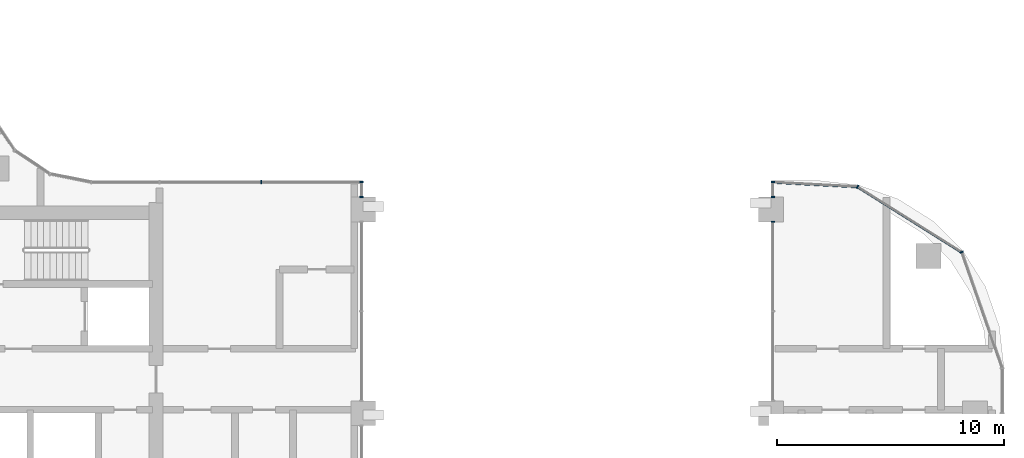
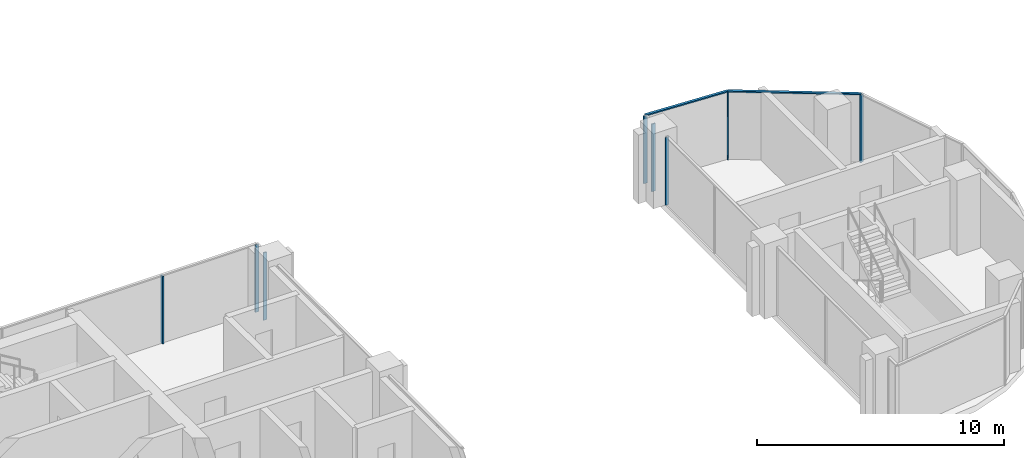
# One storey, part 4 of 23: 10 members, 5 elements without a shape of their own.
"""IFC4 building model written with IfcOpenShell, lengths in metres."""

from ifc_helpers import new_model, si_unit, direction, frame, origin, origin_2d, place, context, subcontext, project, spatial, rectangle, extrude, material, material_profile, profile_set, type_object, element, aggregate, save


model = new_model("IFC4")

# Units and contexts
model_context = context("Model", 3, precision=1e-05, world=origin(), true_north=direction((0.0, 1.0)))
body_context = subcontext(model_context, "Body", "Model", "MODEL_VIEW")
ifc_project = project(units=[si_unit("LENGTHUNIT", "METRE"), si_unit("AREAUNIT", "SQUARE_METRE"), si_unit("VOLUMEUNIT", "CUBIC_METRE"), si_unit("PLANEANGLEUNIT", "RADIAN"), si_unit("MASSUNIT", "GRAM", prefix="KILO")], contexts=[model_context])

# Site, building, storey
site_placement = place(None, origin())
site = spatial("IfcSite", under=ifc_project, at=site_placement, CompositionType="ELEMENT")
building_placement = place(site_placement, origin())
building = spatial("IfcBuilding", under=site, at=building_placement, Name="Ogive Portal Towers", CompositionType="ELEMENT")
storey_placement = place(building_placement, frame((0.0, 0.0, 168.10009765625)))
storey = spatial("IfcBuildingStorey", under=building, at=storey_placement, Name="L41", CompositionType="ELEMENT", Elevation=168.10009765625)

# Curtain wall, members
ifc_material_1 = material(Name="Glass, clear low-iron insulated glazing", Category="glass")
curtain_wall_type_1 = type_object("IfcCurtainWallType", Name="CW PORTAL REVEAL", PredefinedType="NOTDEFINED", material=ifc_material_1)
curtain_wall_1_placement = place(storey_placement, origin())
curtain_wall_1 = element("IfcCurtainWall", 1, at=curtain_wall_1_placement, inside=storey, type_object=curtain_wall_type_1, Name="A:L41:f06:cw0~3", PredefinedType="NOTDEFINED")
ifc_material_2 = material(Name="Aluminium 6063 anodised", Category="aluminium")
ifc_material_profile_1 = material_profile(ifc_material_2, rectangle(XDim=0.159912109375, YDim=0.06005859375, at=origin_2d()), Name="AL 60x160")
ifc_profile_set_1 = profile_set([ifc_material_profile_1], Name="Aluminium 6063 anodised")
member_type_1 = type_object("IfcMemberType", Name="CW MULLION 60x160", PredefinedType="MULLION", material=ifc_profile_set_1)
member_1_placement = place(storey_placement, frame((67.419921875, 40.050048828125, 0.0), z_axis=(0.0, 0.0, 1.0), x_axis=(-1.0, 0.0, 0.0)))
member_1 = element("IfcMember", 2, at=member_1_placement, type_object=member_type_1, Name="mullion", PredefinedType="MULLION", context=body_context, shape_type="SweptSolid", body=[
    extrude(rectangle(XDim=0.159912109375, YDim=0.06005859375, at=origin_2d()), origin(), (0.0, 0.0, 1.0), 3.33984375),
])
member_2_placement = place(storey_placement, frame((67.419921875, 40.705078125, 0.0), z_axis=(0.0, 0.0, 1.0), x_axis=(-1.0, 0.0, 0.0)))
member_2 = element("IfcMember", 3, at=member_2_placement, type_object=member_type_1, Name="mullion", PredefinedType="MULLION", context=body_context, shape_type="SweptSolid", body=[
    extrude(rectangle(XDim=0.159912109375, YDim=0.06005859375, at=origin_2d()), origin(), (0.0, 0.0, 1.0), 3.33984375),
])
aggregate(curtain_wall_1, [member_1, member_2])

# Curtain wall, member
curtain_wall_type_2 = type_object("IfcCurtainWallType", Name="CW FRONT RIBBON 4500", PredefinedType="NOTDEFINED", material=ifc_material_1)
curtain_wall_2_placement = place(storey_placement, origin())
curtain_wall_2 = element("IfcCurtainWall", 4, at=curtain_wall_2_placement, inside=storey, type_object=curtain_wall_type_2, Name="A:L41:f07:cw0", PredefinedType="NOTDEFINED")
member_3_placement = place(storey_placement, frame((63.0, 40.705078125, 0.0), z_axis=(0.0, 0.0, 1.0), x_axis=(0.0, -1.0, 0.0)))
member_3 = element("IfcMember", 5, at=member_3_placement, type_object=member_type_1, Name="mullion", PredefinedType="MULLION", context=body_context, shape_type="SweptSolid", body=[
    extrude(rectangle(XDim=0.159912109375, YDim=0.06005859375, at=origin_2d()), origin(), (0.0, 0.0, 1.0), 3.33984375),
])
aggregate(curtain_wall_2, [member_3])

# Curtain wall, members
curtain_wall_3_placement = place(storey_placement, origin())
curtain_wall_3 = element("IfcCurtainWall", 6, at=curtain_wall_3_placement, inside=storey, type_object=curtain_wall_type_1, Name="A:L41:f22:cw0~0", PredefinedType="NOTDEFINED")
member_4_placement = place(storey_placement, frame((85.580078125, 40.700439453125, 0.0), z_axis=(0.0, 0.0, 1.0), x_axis=(1.0, 0.0, 0.0)))
member_4 = element("IfcMember", 7, at=member_4_placement, type_object=member_type_1, Name="mullion", PredefinedType="MULLION", context=body_context, shape_type="SweptSolid", body=[
    extrude(rectangle(XDim=0.159912109375, YDim=0.06005859375, at=origin_2d()), origin(), (0.0, 0.0, 1.0), 3.33984375),
])
member_5_placement = place(storey_placement, frame((85.580078125, 40.050048828125, 0.0), z_axis=(0.0, 0.0, 1.0), x_axis=(1.0, 0.0, 0.0)))
member_5 = element("IfcMember", 8, at=member_5_placement, type_object=member_type_1, Name="mullion", PredefinedType="MULLION", context=body_context, shape_type="SweptSolid", body=[
    extrude(rectangle(XDim=0.159912109375, YDim=0.06005859375, at=origin_2d()), origin(), (0.0, 0.0, 1.0), 3.33984375),
])
aggregate(curtain_wall_3, [member_4, member_5])

# Curtain wall, member
curtain_wall_4_placement = place(storey_placement, origin())
curtain_wall_4 = element("IfcCurtainWall", 9, at=curtain_wall_4_placement, inside=storey, type_object=curtain_wall_type_1, Name="A:L41:f22:cw0~1", PredefinedType="NOTDEFINED")
member_6_placement = place(storey_placement, frame((85.580078125, 38.949951171875, 0.0), z_axis=(0.0, 0.0, 1.0), x_axis=(1.0, 0.0, 0.0)))
member_6 = element("IfcMember", 10, at=member_6_placement, type_object=member_type_1, Name="mullion", PredefinedType="MULLION", context=body_context, shape_type="SweptSolid", body=[
    extrude(rectangle(XDim=0.159912109375, YDim=0.06005859375, at=origin_2d()), origin(), (0.0, 0.0, 1.0), 3.33984375),
])
aggregate(curtain_wall_4, [member_6])

# Curtain wall, members
curtain_wall_5_placement = place(storey_placement, origin())
curtain_wall_5 = element("IfcCurtainWall", 11, at=curtain_wall_5_placement, inside=storey, type_object=curtain_wall_type_2, Name="A:L41:f27:cwa", PredefinedType="NOTDEFINED")
member_7_placement = place(storey_placement, frame((93.9111328125, 37.61279296875, 0.0), z_axis=(0.0, 0.0, 1.0), x_axis=(-0.943883330307, -0.33027906196, 0.0)))
member_7 = element("IfcMember", 12, at=member_7_placement, type_object=member_type_1, Name="mullion", PredefinedType="MULLION", context=body_context, shape_type="SweptSolid", body=[
    extrude(rectangle(XDim=0.159912109375, YDim=0.06005859375, at=origin_2d()), origin(), (0.0, 0.0, 1.0), 3.33984375),
])
member_8_placement = place(storey_placement, frame((89.318603515625, 40.49853515625, 0.0), z_axis=(0.0, 0.0, 1.0), x_axis=(-0.532032076517, -0.846724199227, 0.0)))
member_8 = element("IfcMember", 13, at=member_8_placement, type_object=member_type_1, Name="mullion", PredefinedType="MULLION", context=body_context, shape_type="SweptSolid", body=[
    extrude(rectangle(XDim=0.159912109375, YDim=0.06005859375, at=origin_2d()), origin(), (0.0, 0.0, 1.0), 3.33984375),
])
ifc_material_profile_2 = material_profile(ifc_material_2, rectangle(XDim=0.1201171875, YDim=0.06005859375, at=origin_2d()), Name="AL 120x60")
ifc_profile_set_2 = profile_set([ifc_material_profile_2], Name="Aluminium 6063 anodised")
member_type_2 = type_object("IfcMemberType", Name="CW TRANSOM 60x120", PredefinedType="USERDEFINED", material=ifc_profile_set_2)
member_9_placement = place(storey_placement, frame((93.9111328125, 37.61279296875, 3.369873046875), z_axis=(-0.846718819472, 0.532040638252, 0.0), x_axis=(-0.532040638252, -0.846718819472, 0.0)))
member_9 = element("IfcMember", 14, at=member_9_placement, type_object=member_type_2, Name="transom", ObjectType="TRANSOM", PredefinedType="USERDEFINED", context=body_context, shape_type="SweptSolid", body=[
    extrude(rectangle(XDim=0.1201171875, YDim=0.06005859375, at=origin_2d()), origin(), (0.0, 0.0, 1.0), 5.423828125),
])
member_10_placement = place(storey_placement, frame((89.318603515625, 40.49853515625, 3.369873046875), z_axis=(-0.998544836814, 0.053927811666, 0.0), x_axis=(-0.053927811666, -0.998544836814, 0.0)))
member_10 = element("IfcMember", 15, at=member_10_placement, type_object=member_type_2, Name="transom", ObjectType="TRANSOM", PredefinedType="USERDEFINED", context=body_context, shape_type="SweptSolid", body=[
    extrude(rectangle(XDim=0.1201171875, YDim=0.06005859375, at=origin_2d()), origin(), (0.0, 0.0, 1.0), 3.743896484375),
])
aggregate(curtain_wall_5, [member_9, member_10, member_7, member_8])

save(model, "model.ifc")
